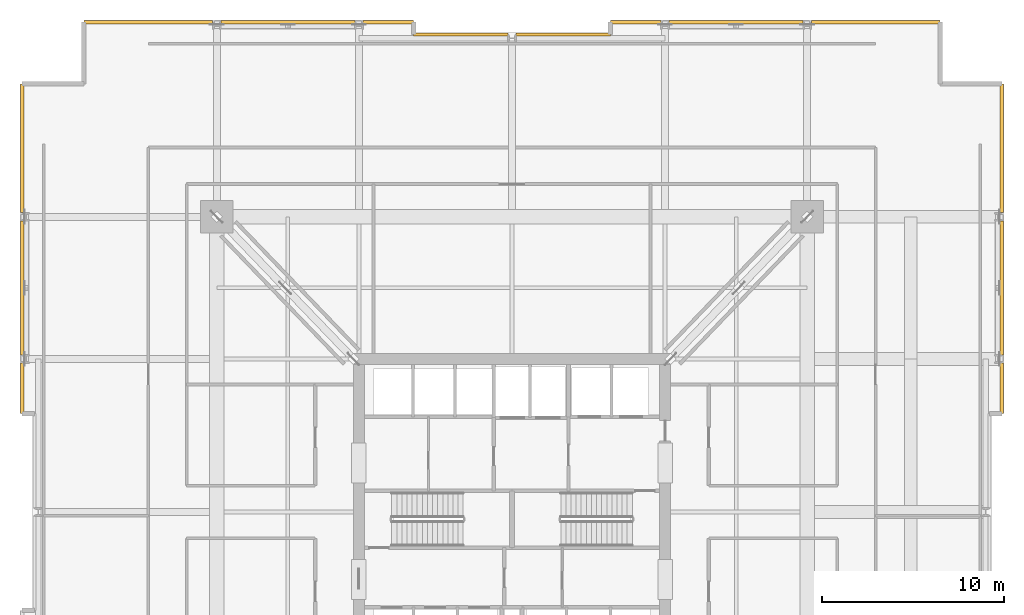
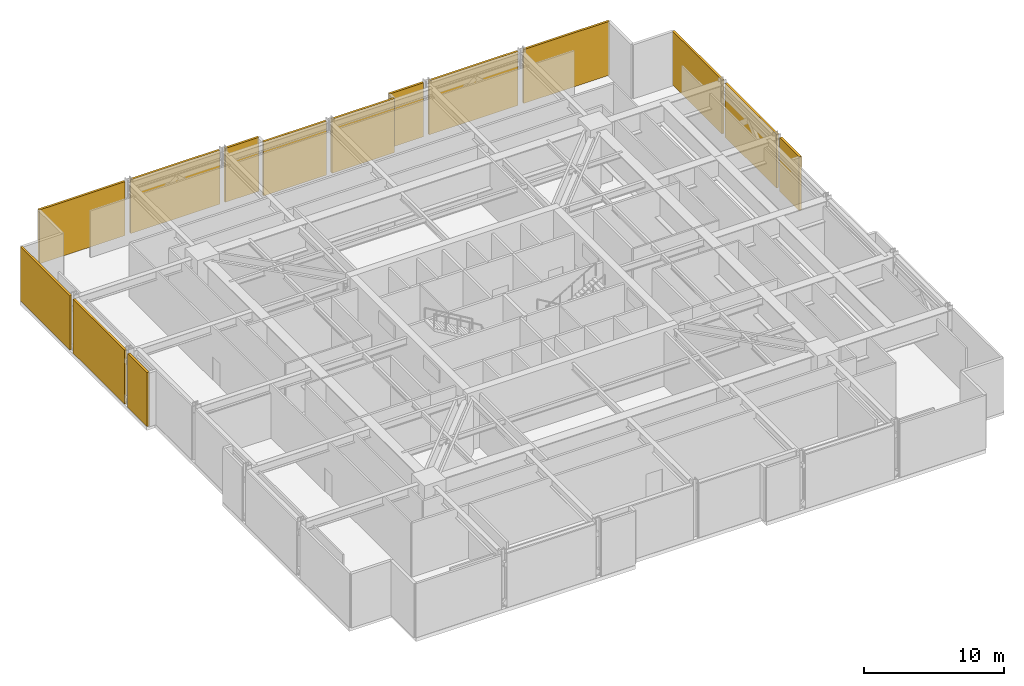
# One storey, part 13 of 13: 14 shading devices.
"""IFC4 building model written with IfcOpenShell, lengths in metres."""

import ifcopenshell
import ifcopenshell.guid

model = None  # the IFC model being written
_history = None  # IfcOwnerHistory: only IFC2X3 demands one
_inside = {}  # id of a spatial element -> (the spatial element, [elements in it])
_under = {}  # id of a project, library or spatial element -> (it, [spatial elements below it])
_declared = {}  # id of a project -> (the project, [libraries it declares])
_typed = {}  # id of a type object -> (the type object, [elements of that type])
_made_of = {}  # id of a material, layer set ... -> (it, [elements and type objects made of it])


def new_model(schema):
    """Start an empty IFC model of exactly this schema.

    Asked for "IFC4X3", IfcOpenShell would pick the latest addendum, in which some entities
    have other attributes; the version numbers below select the first issue.
    IFC2X3 requires an IfcOwnerHistory on every rooted entity: one is made here for all.
    """
    global model, _history
    if schema == "IFC4X3":
        model = ifcopenshell.file(schema_version=(4, 3, 0, 0))
    else:
        model = ifcopenshell.file(schema=schema)
    _inside.clear()
    _under.clear()
    _declared.clear()
    _typed.clear()
    _made_of.clear()
    _history = None
    if model.schema == "IFC2X3":
        org = make("IfcOrganization", Name="unknown")
        user = make(
            "IfcPersonAndOrganization",
            ThePerson=make("IfcPerson", FamilyName="unknown"),
            TheOrganization=org,
        )
        app = make(
            "IfcApplication",
            ApplicationDeveloper=org,
            Version="unknown",
            ApplicationFullName="unknown",
            ApplicationIdentifier="unknown",
        )
        _history = make(
            "IfcOwnerHistory",
            OwningUser=user,
            OwningApplication=app,
            ChangeAction="ADDED",
            CreationDate=0,
        )
    return model


def make(cls, **values):
    """One entity of the class cls with the attributes given. An attribute that is None is left unset."""
    return model.create_entity(
        cls, **{name: value for name, value in values.items() if value is not None}
    )


def rooted(cls, **values):
    """An entity with a GlobalId (a new one), such as an element, a storey or a relation."""
    return make(cls, GlobalId=ifcopenshell.guid.new(), OwnerHistory=_history, **values)


def si_unit(unit_type, name, prefix=None):
    """IfcSIUnit, for example si_unit("LENGTHUNIT", "METRE", prefix="MILLI")."""
    return make("IfcSIUnit", UnitType=unit_type, Prefix=prefix, Name=name)


def assignment(units):
    """IfcUnitAssignment: the units of a project."""
    return None if units is None else make("IfcUnitAssignment", Units=units)


def point(xyz):
    """IfcCartesianPoint."""
    return None if xyz is None else make("IfcCartesianPoint", Coordinates=xyz)


def direction(xyz):
    """IfcDirection."""
    return None if xyz is None else make("IfcDirection", DirectionRatios=xyz)


def frame(location, z_axis=None, x_axis=None):
    """IfcAxis2Placement3D, a coordinate frame: its origin and axes. An axis left out is left unset."""
    return make(
        "IfcAxis2Placement3D",
        Location=point(location),
        Axis=direction(z_axis),
        RefDirection=direction(x_axis),
    )


def frame_2d(location, x_axis=None):
    """IfcAxis2Placement2D, a coordinate frame in the plane: its origin and x axis."""
    return make(
        "IfcAxis2Placement2D", Location=point(location), RefDirection=direction(x_axis)
    )


def origin():
    """The frame at (0, 0, 0) with its axes left unset."""
    return frame((0.0, 0.0, 0.0))


def origin_2d():
    """The frame at (0, 0) in the plane with its x axis left unset."""
    return frame_2d((0.0, 0.0))


def place(relative_to, where):
    """IfcLocalPlacement: puts the frame where relative to a parent placement (None: the world)."""
    return make(
        "IfcLocalPlacement", PlacementRelTo=relative_to, RelativePlacement=where
    )


def context(
    kind, dimensions, precision=None, world=None, true_north=None, identifier=None
):
    """IfcGeometricRepresentationContext, for example the 3D "Model" context."""
    return make(
        "IfcGeometricRepresentationContext",
        ContextIdentifier=identifier,
        ContextType=kind,
        CoordinateSpaceDimension=dimensions,
        Precision=precision,
        WorldCoordinateSystem=world,
        TrueNorth=true_north,
    )


def subcontext(parent, identifier, kind, view, scale=None):
    """IfcGeometricRepresentationSubContext, for example "Body" below "Model"."""
    return make(
        "IfcGeometricRepresentationSubContext",
        ContextIdentifier=identifier,
        ContextType=kind,
        ParentContext=parent,
        TargetScale=scale,
        TargetView=view,
    )


def project(units=None, contexts=None):
    """IfcProject with its units and contexts."""
    return rooted(
        "IfcProject",
        Name="project",
        RepresentationContexts=contexts,
        UnitsInContext=assignment(units),
    )


def spatial(cls, under=None, at=None, **own):
    """A site, building, storey or space (cls), placed at a placement, below another one or the project."""
    s = rooted(cls, ObjectPlacement=at, **own)
    if under is not None:
        _under.setdefault(under.id(), (under, []))[1].append(s)
    return s


def profile(cls, at=None, kind="AREA", **sizes):
    """A parametric profile (cls). Its sizes go by their IFC names, for example OverallWidth=200.0."""
    return make(cls, ProfileType=kind, Position=at, **sizes)


def rectangle(**sizes):
    """IfcRectangleProfileDef."""
    return profile("IfcRectangleProfileDef", **sizes)


def extrude(swept, where, along, depth):
    """IfcExtrudedAreaSolid: the profile swept, set in the frame where, extruded along a direction by depth."""
    return make(
        "IfcExtrudedAreaSolid",
        SweptArea=swept,
        Position=where,
        ExtrudedDirection=direction(along),
        Depth=depth,
    )


def shape(context_of_items, identifier, shape_type, items):
    """IfcShapeRepresentation: the items that make up one representation, for example the "Body"."""
    return make(
        "IfcShapeRepresentation",
        ContextOfItems=context_of_items,
        RepresentationIdentifier=identifier,
        RepresentationType=shape_type,
        Items=items,
    )


def material(Name=None, Category=None):
    """IfcMaterial."""
    return make("IfcMaterial", Name=Name, Category=Category)


def layer(
    of_material, thickness, ventilated=None, Name=None, Category=None, Priority=None
):
    """IfcMaterialLayer: one layer of a wall or slab, of a material (None: an air gap)."""
    return make(
        "IfcMaterialLayer",
        Material=of_material,
        LayerThickness=thickness,
        IsVentilated=ventilated,
        Name=Name,
        Category=Category,
        Priority=Priority,
    )


def layer_set(layers, Name=None):
    """IfcMaterialLayerSet."""
    return make("IfcMaterialLayerSet", MaterialLayers=layers, LayerSetName=Name)


def made_of(thing, what):
    """Note that an element or type object is made of a material, layer set ...; save() writes the relation."""
    if what is not None:
        _made_of.setdefault(what.id(), (what, []))[1].append(thing)
    return thing


def type_object(cls, material=None, **own):
    """A type object (cls), such as IfcWallType, which elements share."""
    return made_of(rooted(cls, **own), material)


def element(
    cls,
    number,
    at=None,
    inside=None,
    cuts=None,
    type_object=None,
    material=None,
    context=None,
    identifier="Body",
    shape_type=None,
    held_by="IfcProductDefinitionShape",
    body=None,
    shapes=None,
    **own,
):
    """One element of the class cls, such as IfcWall. Its Tag is "e" and its number.

    at: its placement. inside: the storey or other place that contains it. cuts: it is an
    opening in that element (IfcRelVoidsElement). A single representation is given by context,
    identifier, shape_type and body (its items); several are given by shapes. held_by: the class
    of the entity that holds the representations. save() writes the other relations.
    """
    e = rooted(cls, Tag="e%d" % number, ObjectPlacement=at, **own)
    if body is not None:
        shapes = [shape(context, identifier, shape_type, body)]
    if shapes is not None:
        e.Representation = make(held_by, Representations=shapes)
    if inside is not None:
        _inside.setdefault(inside.id(), (inside, []))[1].append(e)
    if cuts is not None:
        rooted(
            "IfcRelVoidsElement", RelatingBuildingElement=cuts, RelatedOpeningElement=e
        )
    if type_object is not None:
        _typed.setdefault(type_object.id(), (type_object, []))[1].append(e)
    return made_of(e, material)


def aggregate(whole, parts):
    """IfcRelAggregates: a whole, such as a stair, and the parts it consists of."""
    return rooted("IfcRelAggregates", RelatingObject=whole, RelatedObjects=parts)


def save(model, path):
    """Write the relations noted so far, then the file.

    IfcRelAggregates (storeys below a building ...), IfcRelContainedInSpatialStructure (elements
    in a storey), IfcRelDefinesByType, IfcRelAssociatesMaterial and IfcRelDeclares: one each for
    every whole, place, type object, material and project.
    """
    for whole, parts in _under.values():
        aggregate(whole, parts)
    for where, things in _inside.values():
        rooted(
            "IfcRelContainedInSpatialStructure",
            RelatedElements=things,
            RelatingStructure=where,
        )
    for kind, things in _typed.values():
        rooted("IfcRelDefinesByType", RelatedObjects=things, RelatingType=kind)
    for what, things in _made_of.values():
        rooted("IfcRelAssociatesMaterial", RelatedObjects=things, RelatingMaterial=what)
    for by, libraries in _declared.values():
        rooted("IfcRelDeclares", RelatingContext=by, RelatedDefinitions=libraries)
    model.write(path)


model = new_model("IFC4")

# Units and contexts
model_context = context("Model", 3, precision=1e-05, world=origin(), true_north=direction((0.0, 1.0)))
body_context = subcontext(model_context, "Body", "Model", "MODEL_VIEW")
ifc_project = project(units=[si_unit("LENGTHUNIT", "METRE"), si_unit("AREAUNIT", "SQUARE_METRE"), si_unit("VOLUMEUNIT", "CUBIC_METRE"), si_unit("PLANEANGLEUNIT", "RADIAN"), si_unit("MASSUNIT", "GRAM", prefix="KILO")], contexts=[model_context])

# Site, building, storey
site_placement = place(None, origin())
site = spatial("IfcSite", under=ifc_project, at=site_placement, CompositionType="ELEMENT")
building_placement = place(site_placement, origin())
building = spatial("IfcBuilding", under=site, at=building_placement, Name="Drelvath Grand Hotel", CompositionType="ELEMENT")
storey_placement = place(building_placement, frame((0.0, 0.0, 82.199951171875)))
storey = spatial("IfcBuildingStorey", under=building, at=storey_placement, Name="L20", CompositionType="ELEMENT", Elevation=82.199951171875)

# Shading devices
ifc_material = material(Name="Pale-Metal Anodised Aluminium Louvre", Category="aluminium")
ifc_layer = layer(ifc_material, 0.179931640625)
ifc_layer_set = layer_set([ifc_layer], Name="Pale-Metal Anodised Aluminium Louvre")
shading_device_type = type_object("IfcShadingDeviceType", Name="Mechanical Acoustic Weather Louvre Pale-Metal 180", PredefinedType="USERDEFINED", material=ifc_layer_set)
shading_device_1_placement = place(storey_placement, frame((-26.8798828125, 33.785400390625, 0.0), z_axis=(0.0, 0.0, 1.0), x_axis=(0.0, 1.0, 0.0)))
element("IfcShadingDevice", 1, at=shading_device_1_placement, inside=storey, type_object=shading_device_type, Name="L20 Mechanical Plant Acoustic Louvre WN-1", ObjectType="LOUVRE", PredefinedType="USERDEFINED", context=body_context, shape_type="SweptSolid", body=[
    extrude(rectangle(XDim=2.77099609375, YDim=0.179931640625, at=origin_2d()), origin(), (0.0, 0.0, 1.0), 4.699951171875),
])
shading_device_2_placement = place(storey_placement, frame((-26.8798828125, 39.300048828125, 0.0), z_axis=(0.0, 0.0, 1.0), x_axis=(0.0, 1.0, 0.0)))
element("IfcShadingDevice", 2, at=shading_device_2_placement, inside=storey, type_object=shading_device_type, Name="L20 Mechanical Plant Acoustic Louvre WN-2", ObjectType="LOUVRE", PredefinedType="USERDEFINED", context=body_context, shape_type="SweptSolid", body=[
    extrude(rectangle(XDim=7.341796875, YDim=0.179931640625, at=origin_2d()), origin(), (0.0, 0.0, 1.0), 4.699951171875),
])
shading_device_3_placement = place(storey_placement, frame((-26.8798828125, 46.964599609375, 0.0), z_axis=(0.0, 0.0, 1.0), x_axis=(0.0, 1.0, 0.0)))
element("IfcShadingDevice", 3, at=shading_device_3_placement, inside=storey, type_object=shading_device_type, Name="L20 Mechanical Plant Acoustic Louvre WN-3", ObjectType="LOUVRE", PredefinedType="USERDEFINED", context=body_context, shape_type="SweptSolid", body=[
    extrude(rectangle(XDim=7.07080078125, YDim=0.179931640625, at=origin_2d()), origin(), (0.0, 0.0, 1.0), 4.699951171875),
])
shading_device_4_placement = place(storey_placement, frame((26.8798828125, 33.785400390625, 0.0), z_axis=(0.0, 0.0, 1.0), x_axis=(0.0, 1.0, 0.0)))
element("IfcShadingDevice", 4, at=shading_device_4_placement, inside=storey, type_object=shading_device_type, Name="L20 Mechanical Plant Acoustic Louvre EN-1", ObjectType="LOUVRE", PredefinedType="USERDEFINED", context=body_context, shape_type="SweptSolid", body=[
    extrude(rectangle(XDim=2.77099609375, YDim=0.179931640625, at=origin_2d()), origin(), (0.0, 0.0, 1.0), 4.699951171875),
])
shading_device_5_placement = place(storey_placement, frame((26.8798828125, 39.300048828125, 0.0), z_axis=(0.0, 0.0, 1.0), x_axis=(0.0, 1.0, 0.0)))
element("IfcShadingDevice", 5, at=shading_device_5_placement, inside=storey, type_object=shading_device_type, Name="L20 Mechanical Plant Acoustic Louvre EN-2", ObjectType="LOUVRE", PredefinedType="USERDEFINED", context=body_context, shape_type="SweptSolid", body=[
    extrude(rectangle(XDim=7.341796875, YDim=0.179931640625, at=origin_2d()), origin(), (0.0, 0.0, 1.0), 4.699951171875),
])
for number, where, z_axis, x_axis, name in (
    (6, (26.8798828125, 46.964599609375, 0.0), (0.0, 0.0, 1.0), (0.0, 1.0, 0.0), "L20 Mechanical Plant Acoustic Louvre EN-3"),
    (7, (-19.964599609375, 53.8798828125, 0.0), (0.0, 0.0, 1.0), (1.0, 0.0, 0.0), "L20 Mechanical Plant Acoustic Louvre NW-1"),
):
    element("IfcShadingDevice", number, at=place(storey_placement, frame(where, z_axis=z_axis, x_axis=x_axis)), inside=storey, type_object=shading_device_type, Name=name, ObjectType="LOUVRE", PredefinedType="USERDEFINED", context=body_context, shape_type="SweptSolid", body=[
        extrude(rectangle(XDim=7.07080078125, YDim=0.179931640625, at=origin_2d()), origin(), (0.0, 0.0, 1.0), 4.699951171875),
    ])
shading_device_6_placement = place(storey_placement, frame((-12.300048828125, 53.8798828125, 0.0), z_axis=(0.0, 0.0, 1.0), x_axis=(1.0, 0.0, 0.0)))
element("IfcShadingDevice", 8, at=shading_device_6_placement, inside=storey, type_object=shading_device_type, Name="L20 Mechanical Plant Acoustic Louvre NW-2", ObjectType="LOUVRE", PredefinedType="USERDEFINED", context=body_context, shape_type="SweptSolid", body=[
    extrude(rectangle(XDim=7.341796875, YDim=0.179931640625, at=origin_2d()), origin(), (0.0, 0.0, 1.0), 4.699951171875),
])
shading_device_7_placement = place(storey_placement, frame((-6.785400390625, 53.8798828125, 0.0), z_axis=(0.0, 0.0, 1.0), x_axis=(1.0, 0.0, 0.0)))
element("IfcShadingDevice", 9, at=shading_device_7_placement, inside=storey, type_object=shading_device_type, Name="L20 Mechanical Plant Acoustic Louvre NW-3", ObjectType="LOUVRE", PredefinedType="USERDEFINED", context=body_context, shape_type="SweptSolid", body=[
    extrude(rectangle(XDim=2.77099609375, YDim=0.179931640625, at=origin_2d()), origin(), (0.0, 0.0, 1.0), 4.699951171875),
])
for number, where, z_axis, x_axis, name in (
    (10, (-2.814697265625, 53.199951171875, 0.0), (0.0, 0.0, 1.0), (1.0, 0.0, 0.0), "L20 Mechanical Plant Acoustic Louvre NM-1"),
    (11, (2.814697265625, 53.199951171875, 0.0), (0.0, 0.0, 1.0), (1.0, 0.0, 0.0), "L20 Mechanical Plant Acoustic Louvre NM-2"),
):
    element("IfcShadingDevice", number, at=place(storey_placement, frame(where, z_axis=z_axis, x_axis=x_axis)), inside=storey, type_object=shading_device_type, Name=name, ObjectType="LOUVRE", PredefinedType="USERDEFINED", context=body_context, shape_type="SweptSolid", body=[
        extrude(rectangle(XDim=5.1708984375, YDim=0.179931640625, at=origin_2d()), origin(), (0.0, 0.0, 1.0), 4.699951171875),
    ])
shading_device_8_placement = place(storey_placement, frame((6.785400390625, 53.8798828125, 0.0), z_axis=(0.0, 0.0, 1.0), x_axis=(1.0, 0.0, 0.0)))
element("IfcShadingDevice", 12, at=shading_device_8_placement, inside=storey, type_object=shading_device_type, Name="L20 Mechanical Plant Acoustic Louvre NE-1", ObjectType="LOUVRE", PredefinedType="USERDEFINED", context=body_context, shape_type="SweptSolid", body=[
    extrude(rectangle(XDim=2.77099609375, YDim=0.179931640625, at=origin_2d()), origin(), (0.0, 0.0, 1.0), 4.699951171875),
])
shading_device_9_placement = place(storey_placement, frame((12.300048828125, 53.8798828125, 0.0), z_axis=(0.0, 0.0, 1.0), x_axis=(1.0, 0.0, 0.0)))
element("IfcShadingDevice", 13, at=shading_device_9_placement, inside=storey, type_object=shading_device_type, Name="L20 Mechanical Plant Acoustic Louvre NE-2", ObjectType="LOUVRE", PredefinedType="USERDEFINED", context=body_context, shape_type="SweptSolid", body=[
    extrude(rectangle(XDim=7.341796875, YDim=0.179931640625, at=origin_2d()), origin(), (0.0, 0.0, 1.0), 4.699951171875),
])
shading_device_10_placement = place(storey_placement, frame((19.964599609375, 53.8798828125, 0.0), z_axis=(0.0, 0.0, 1.0), x_axis=(1.0, 0.0, 0.0)))
element("IfcShadingDevice", 14, at=shading_device_10_placement, inside=storey, type_object=shading_device_type, Name="L20 Mechanical Plant Acoustic Louvre NE-3", ObjectType="LOUVRE", PredefinedType="USERDEFINED", context=body_context, shape_type="SweptSolid", body=[
    extrude(rectangle(XDim=7.07080078125, YDim=0.179931640625, at=origin_2d()), origin(), (0.0, 0.0, 1.0), 4.699951171875),
])

save(model, "model.ifc")
